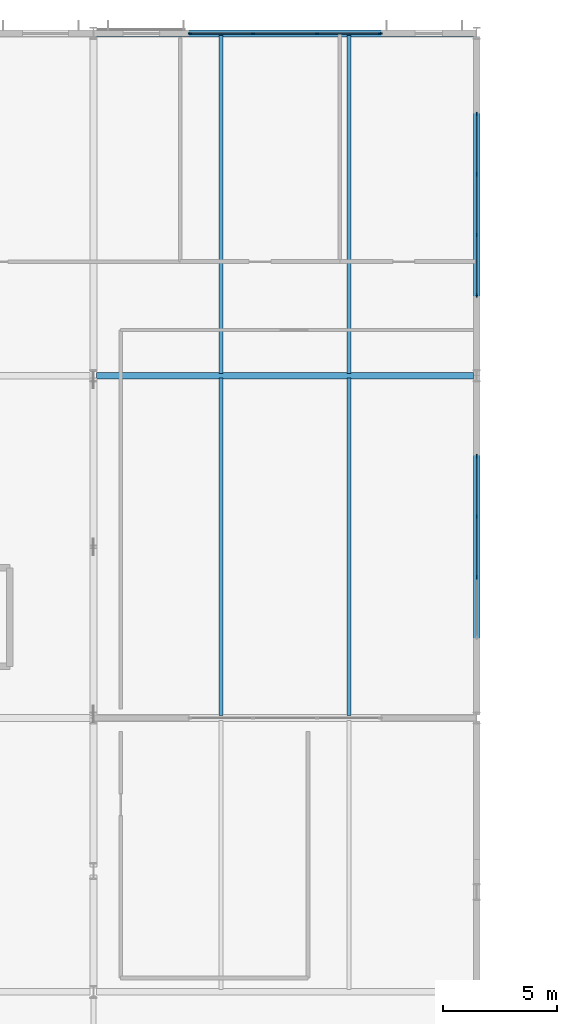
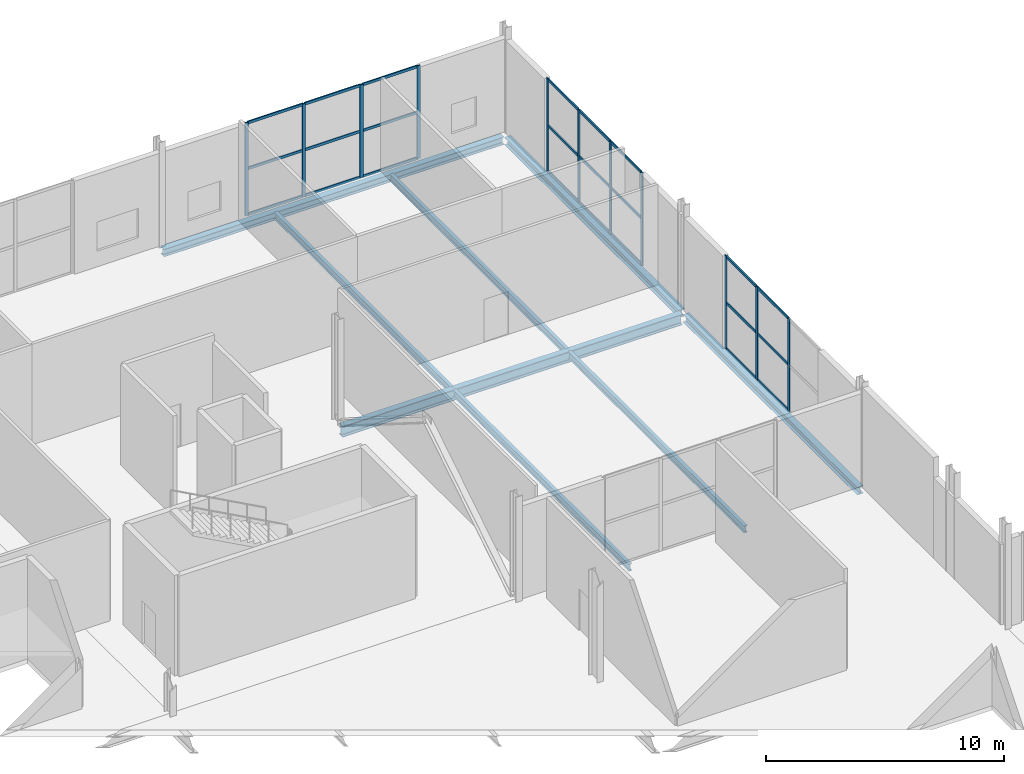
# One storey, part 48 of 84: 35 members, 8 beams, 3 elements without a shape of their own.
"""IFC4 building model written with IfcOpenShell, lengths in metres."""

from ifc_helpers import new_model, si_unit, direction, frame, origin, origin_2d, place, context, subcontext, project, spatial, rectangle, i_section, extrude, material, material_profile, profile_set, type_object, element, aggregate, save


model = new_model("IFC4")

# Units and contexts
model_context = context("Model", 3, precision=1e-05, world=origin(), true_north=direction((0.0, 1.0)))
body_context = subcontext(model_context, "Body", "Model", "MODEL_VIEW")
ifc_project = project(units=[si_unit("LENGTHUNIT", "METRE"), si_unit("AREAUNIT", "SQUARE_METRE"), si_unit("VOLUMEUNIT", "CUBIC_METRE"), si_unit("PLANEANGLEUNIT", "RADIAN"), si_unit("MASSUNIT", "GRAM", prefix="KILO")], contexts=[model_context])

# Site, building, storey
site_placement = place(None, origin())
site = spatial("IfcSite", under=ifc_project, at=site_placement, CompositionType="ELEMENT")
building_placement = place(site_placement, origin())
building = spatial("IfcBuilding", under=site, at=building_placement, Name="Kimbaza Rail Terminus", CompositionType="ELEMENT")
storey_placement = place(building_placement, frame((0.0, 0.0, 5.39990234375)))
storey = spatial("IfcBuildingStorey", under=building, at=storey_placement, Name="L01", CompositionType="ELEMENT", Elevation=5.39990234375)

# Curtain wall, members
ifc_material_1 = material(Name="Anodised aluminium framing and solar low-E glazing", Category="aluminium")
curtain_wall_type = type_object("IfcCurtainWallType", Name="ARC-CW-OP1", PredefinedType="USERDEFINED", material=ifc_material_1)
curtain_wall_1_placement = place(storey_placement, origin())
curtain_wall_1 = element("IfcCurtainWall", 1, at=curtain_wall_1_placement, inside=storey, type_object=curtain_wall_type, Name="Operations North Curtain Wall L01 Bay 6", ObjectType="UNITISED CURTAIN WALL", PredefinedType="USERDEFINED")
ifc_material_2 = material(Name="Anodised architectural aluminium", Category="aluminium")
ifc_material_profile_1 = material_profile(ifc_material_2, rectangle(XDim=0.06201171875, YDim=0.1650390625, at=origin_2d()), Name="MULLION 62x165")
ifc_profile_set_1 = profile_set([ifc_material_profile_1], Name="Anodised architectural aluminium")
member_type_1 = type_object("IfcMemberType", Name="ARC-CWM-05", PredefinedType="MULLION", material=ifc_profile_set_1)
member_1_placement = place(storey_placement, frame((143.430908203125, 133.0, 0.0), z_axis=(0.0, 0.0, 1.0), x_axis=(0.0, 1.0, 0.0)))
member_1 = element("IfcMember", 2, at=member_1_placement, type_object=member_type_1, Name="CW-05 mullion 1", PredefinedType="MULLION", context=body_context, shape_type="SweptSolid", body=[
    extrude(rectangle(XDim=0.06201171875, YDim=0.1650390625, at=origin_2d()), origin(), (0.0, 0.0, 1.0), 4.76513671875),
])
member_2_placement = place(storey_placement, frame((146.199951171875, 133.0, 0.0), z_axis=(0.0, 0.0, 1.0), x_axis=(0.0, 1.0, 0.0)))
member_2 = element("IfcMember", 3, at=member_2_placement, type_object=member_type_1, Name="CW-05 mullion 2", PredefinedType="MULLION", context=body_context, shape_type="SweptSolid", body=[
    extrude(rectangle(XDim=0.06201171875, YDim=0.1650390625, at=origin_2d()), origin(), (0.0, 0.0, 1.0), 4.76513671875),
])
member_3_placement = place(storey_placement, frame((149.0, 133.0, 0.0), z_axis=(0.0, 0.0, 1.0), x_axis=(0.0, 1.0, 0.0)))
member_3 = element("IfcMember", 4, at=member_3_placement, type_object=member_type_1, Name="CW-05 mullion 3", PredefinedType="MULLION", context=body_context, shape_type="SweptSolid", body=[
    extrude(rectangle(XDim=0.06201171875, YDim=0.1650390625, at=origin_2d()), origin(), (0.0, 0.0, 1.0), 4.76513671875),
])
member_4_placement = place(storey_placement, frame((151.76904296875, 133.0, 0.0), z_axis=(0.0, 0.0, 1.0), x_axis=(0.0, 1.0, 0.0)))
member_4 = element("IfcMember", 5, at=member_4_placement, type_object=member_type_1, Name="CW-05 mullion 4", PredefinedType="MULLION", context=body_context, shape_type="SweptSolid", body=[
    extrude(rectangle(XDim=0.06201171875, YDim=0.1650390625, at=origin_2d()), origin(), (0.0, 0.0, 1.0), 4.76513671875),
])

curtain_wall_2_placement = place(storey_placement, origin())
curtain_wall_2 = element("IfcCurtainWall", 6, at=curtain_wall_2_placement, inside=storey, type_object=curtain_wall_type, Name="Operations E Curtain Wall L01.1", ObjectType="UNITISED CURTAIN WALL", PredefinedType="USERDEFINED")
member_5_placement = place(storey_placement, frame((156.0, 109.166748046875, 0.0), z_axis=(0.0, 0.0, 1.0), x_axis=(-1.0, 0.0, 0.0)))
member_5 = element("IfcMember", 7, at=member_5_placement, type_object=member_type_1, Name="CW-05 mullion 2", PredefinedType="MULLION", context=body_context, shape_type="SweptSolid", body=[
    extrude(rectangle(XDim=0.06201171875, YDim=0.1650390625, at=origin_2d()), origin(), (0.0, 0.0, 1.0), 4.76513671875),
])
member_6_placement = place(storey_placement, frame((156.0, 111.833251953125, 0.0), z_axis=(0.0, 0.0, 1.0), x_axis=(-1.0, 0.0, 0.0)))
member_6 = element("IfcMember", 8, at=member_6_placement, type_object=member_type_1, Name="CW-05 mullion 3", PredefinedType="MULLION", context=body_context, shape_type="SweptSolid", body=[
    extrude(rectangle(XDim=0.06201171875, YDim=0.1650390625, at=origin_2d()), origin(), (0.0, 0.0, 1.0), 4.76513671875),
])
member_7_placement = place(storey_placement, frame((156.0, 114.468994140625, 0.0), z_axis=(0.0, 0.0, 1.0), x_axis=(-1.0, 0.0, 0.0)))
member_7 = element("IfcMember", 9, at=member_7_placement, type_object=member_type_1, Name="CW-05 mullion 4", PredefinedType="MULLION", context=body_context, shape_type="SweptSolid", body=[
    extrude(rectangle(XDim=0.06201171875, YDim=0.1650390625, at=origin_2d()), origin(), (0.0, 0.0, 1.0), 4.76513671875),
])

curtain_wall_3_placement = place(storey_placement, origin())
curtain_wall_3 = element("IfcCurtainWall", 10, at=curtain_wall_3_placement, inside=storey, type_object=curtain_wall_type, Name="Operations E Curtain Wall L01.2", ObjectType="UNITISED CURTAIN WALL", PredefinedType="USERDEFINED")
member_8_placement = place(storey_placement, frame((156.0, 121.531005859375, 0.0), z_axis=(0.0, 0.0, 1.0), x_axis=(-1.0, 0.0, 0.0)))
member_8 = element("IfcMember", 11, at=member_8_placement, type_object=member_type_1, Name="CW-05 mullion 1", PredefinedType="MULLION", context=body_context, shape_type="SweptSolid", body=[
    extrude(rectangle(XDim=0.06201171875, YDim=0.1650390625, at=origin_2d()), origin(), (0.0, 0.0, 1.0), 4.76513671875),
])
member_9_placement = place(storey_placement, frame((156.0, 124.166748046875, 0.0), z_axis=(0.0, 0.0, 1.0), x_axis=(-1.0, 0.0, 0.0)))
member_9 = element("IfcMember", 12, at=member_9_placement, type_object=member_type_1, Name="CW-05 mullion 2", PredefinedType="MULLION", context=body_context, shape_type="SweptSolid", body=[
    extrude(rectangle(XDim=0.06201171875, YDim=0.1650390625, at=origin_2d()), origin(), (0.0, 0.0, 1.0), 4.76513671875),
])
member_10_placement = place(storey_placement, frame((156.0, 126.833251953125, 0.0), z_axis=(0.0, 0.0, 1.0), x_axis=(-1.0, 0.0, 0.0)))
member_10 = element("IfcMember", 13, at=member_10_placement, type_object=member_type_1, Name="CW-05 mullion 3", PredefinedType="MULLION", context=body_context, shape_type="SweptSolid", body=[
    extrude(rectangle(XDim=0.06201171875, YDim=0.1650390625, at=origin_2d()), origin(), (0.0, 0.0, 1.0), 4.76513671875),
])
member_11_placement = place(storey_placement, frame((156.0, 129.468994140625, 0.0), z_axis=(0.0, 0.0, 1.0), x_axis=(-1.0, 0.0, 0.0)))
member_11 = element("IfcMember", 14, at=member_11_placement, type_object=member_type_1, Name="CW-05 mullion 4", PredefinedType="MULLION", context=body_context, shape_type="SweptSolid", body=[
    extrude(rectangle(XDim=0.06201171875, YDim=0.1650390625, at=origin_2d()), origin(), (0.0, 0.0, 1.0), 4.76513671875),
])

# Member
ifc_material_3 = material(Name="Anodised architectural aluminium", Category="aluminium")
ifc_material_profile_2 = material_profile(ifc_material_3, rectangle(XDim=0.06201171875, YDim=0.135009765625, at=origin_2d()), Name="TRANSOM 62x135")
ifc_profile_set_2 = profile_set([ifc_material_profile_2], Name="Anodised architectural aluminium")
member_type_2 = type_object("IfcMemberType", Name="ARC-CWT-05", PredefinedType="USERDEFINED", material=ifc_profile_set_2)
member_12_placement = place(storey_placement, frame((143.4619140625, 133.0, 0.031005859375), z_axis=(1.0, 0.0, 0.0), x_axis=(0.0, 1.0, 0.0)))
member_12 = element("IfcMember", 15, at=member_12_placement, type_object=member_type_2, Name="CW-05 transom 1.1", ObjectType="TRANSOM", PredefinedType="USERDEFINED", context=body_context, shape_type="SweptSolid", body=[
    extrude(rectangle(XDim=0.06201171875, YDim=0.135009765625, at=origin_2d()), origin(), (0.0, 0.0, 1.0), 2.70703125),
])

member_13_placement = place(storey_placement, frame((143.4619140625, 133.0, 2.382568359375), z_axis=(1.0, 0.0, 0.0), x_axis=(0.0, 1.0, 0.0)))
member_13 = element("IfcMember", 16, at=member_13_placement, type_object=member_type_2, Name="CW-05 transom 1.2", ObjectType="TRANSOM", PredefinedType="USERDEFINED", context=body_context, shape_type="SweptSolid", body=[
    extrude(rectangle(XDim=0.06201171875, YDim=0.135009765625, at=origin_2d()), origin(), (0.0, 0.0, 1.0), 2.70703125),
])

member_14_placement = place(storey_placement, frame((143.4619140625, 133.0, 4.734130859375), z_axis=(1.0, 0.0, 0.0), x_axis=(0.0, 1.0, 0.0)))
member_14 = element("IfcMember", 17, at=member_14_placement, type_object=member_type_2, Name="CW-05 transom 1.3", ObjectType="TRANSOM", PredefinedType="USERDEFINED", context=body_context, shape_type="SweptSolid", body=[
    extrude(rectangle(XDim=0.06201171875, YDim=0.135009765625, at=origin_2d()), origin(), (0.0, 0.0, 1.0), 2.70703125),
])

member_15_placement = place(storey_placement, frame((146.23095703125, 133.0, 0.031005859375), z_axis=(1.0, 0.0, 0.0), x_axis=(0.0, 1.0, 0.0)))
member_15 = element("IfcMember", 18, at=member_15_placement, type_object=member_type_2, Name="CW-05 transom 2.1", ObjectType="TRANSOM", PredefinedType="USERDEFINED", context=body_context, shape_type="SweptSolid", body=[
    extrude(rectangle(XDim=0.06201171875, YDim=0.135009765625, at=origin_2d()), origin(), (0.0, 0.0, 1.0), 2.738037109375),
])

member_16_placement = place(storey_placement, frame((146.23095703125, 133.0, 2.382568359375), z_axis=(1.0, 0.0, 0.0), x_axis=(0.0, 1.0, 0.0)))
member_16 = element("IfcMember", 19, at=member_16_placement, type_object=member_type_2, Name="CW-05 transom 2.2", ObjectType="TRANSOM", PredefinedType="USERDEFINED", context=body_context, shape_type="SweptSolid", body=[
    extrude(rectangle(XDim=0.06201171875, YDim=0.135009765625, at=origin_2d()), origin(), (0.0, 0.0, 1.0), 2.738037109375),
])

member_17_placement = place(storey_placement, frame((146.23095703125, 133.0, 4.734130859375), z_axis=(1.0, 0.0, 0.0), x_axis=(0.0, 1.0, 0.0)))
member_17 = element("IfcMember", 20, at=member_17_placement, type_object=member_type_2, Name="CW-05 transom 2.3", ObjectType="TRANSOM", PredefinedType="USERDEFINED", context=body_context, shape_type="SweptSolid", body=[
    extrude(rectangle(XDim=0.06201171875, YDim=0.135009765625, at=origin_2d()), origin(), (0.0, 0.0, 1.0), 2.738037109375),
])

member_18_placement = place(storey_placement, frame((149.031005859375, 133.0, 0.031005859375), z_axis=(1.0, 0.0, 0.0), x_axis=(0.0, 1.0, 0.0)))
member_18 = element("IfcMember", 21, at=member_18_placement, type_object=member_type_2, Name="CW-05 transom 3.1", ObjectType="TRANSOM", PredefinedType="USERDEFINED", context=body_context, shape_type="SweptSolid", body=[
    extrude(rectangle(XDim=0.06201171875, YDim=0.135009765625, at=origin_2d()), origin(), (0.0, 0.0, 1.0), 2.70703125),
])

member_19_placement = place(storey_placement, frame((149.031005859375, 133.0, 2.382568359375), z_axis=(1.0, 0.0, 0.0), x_axis=(0.0, 1.0, 0.0)))
member_19 = element("IfcMember", 22, at=member_19_placement, type_object=member_type_2, Name="CW-05 transom 3.2", ObjectType="TRANSOM", PredefinedType="USERDEFINED", context=body_context, shape_type="SweptSolid", body=[
    extrude(rectangle(XDim=0.06201171875, YDim=0.135009765625, at=origin_2d()), origin(), (0.0, 0.0, 1.0), 2.70703125),
])

member_20_placement = place(storey_placement, frame((149.031005859375, 133.0, 4.734130859375), z_axis=(1.0, 0.0, 0.0), x_axis=(0.0, 1.0, 0.0)))
member_20 = element("IfcMember", 23, at=member_20_placement, type_object=member_type_2, Name="CW-05 transom 3.3", ObjectType="TRANSOM", PredefinedType="USERDEFINED", context=body_context, shape_type="SweptSolid", body=[
    extrude(rectangle(XDim=0.06201171875, YDim=0.135009765625, at=origin_2d()), origin(), (0.0, 0.0, 1.0), 2.70703125),
])

aggregate(curtain_wall_1, [member_1, member_2, member_3, member_4, member_12, member_13, member_14, member_15, member_16, member_17, member_18, member_19, member_20])

member_21_placement = place(storey_placement, frame((156.0, 109.19775390625, 0.031005859375), z_axis=(0.0, 1.0, 0.0), x_axis=(-1.0, 0.0, 0.0)))
member_21 = element("IfcMember", 24, at=member_21_placement, type_object=member_type_2, Name="CW-05 transom 2.1", ObjectType="TRANSOM", PredefinedType="USERDEFINED", context=body_context, shape_type="SweptSolid", body=[
    extrude(rectangle(XDim=0.06201171875, YDim=0.135009765625, at=origin_2d()), origin(), (0.0, 0.0, 1.0), 2.6044921875),
])

member_22_placement = place(storey_placement, frame((156.0, 109.19775390625, 2.382568359375), z_axis=(0.0, 1.0, 0.0), x_axis=(-1.0, 0.0, 0.0)))
member_22 = element("IfcMember", 25, at=member_22_placement, type_object=member_type_2, Name="CW-05 transom 2.2", ObjectType="TRANSOM", PredefinedType="USERDEFINED", context=body_context, shape_type="SweptSolid", body=[
    extrude(rectangle(XDim=0.06201171875, YDim=0.135009765625, at=origin_2d()), origin(), (0.0, 0.0, 1.0), 2.6044921875),
])

member_23_placement = place(storey_placement, frame((156.0, 109.19775390625, 4.734130859375), z_axis=(0.0, 1.0, 0.0), x_axis=(-1.0, 0.0, 0.0)))
member_23 = element("IfcMember", 26, at=member_23_placement, type_object=member_type_2, Name="CW-05 transom 2.3", ObjectType="TRANSOM", PredefinedType="USERDEFINED", context=body_context, shape_type="SweptSolid", body=[
    extrude(rectangle(XDim=0.06201171875, YDim=0.135009765625, at=origin_2d()), origin(), (0.0, 0.0, 1.0), 2.6044921875),
])

member_24_placement = place(storey_placement, frame((156.0, 111.8642578125, 0.031005859375), z_axis=(0.0, 1.0, 0.0), x_axis=(-1.0, 0.0, 0.0)))
member_24 = element("IfcMember", 27, at=member_24_placement, type_object=member_type_2, Name="CW-05 transom 3.1", ObjectType="TRANSOM", PredefinedType="USERDEFINED", context=body_context, shape_type="SweptSolid", body=[
    extrude(rectangle(XDim=0.06201171875, YDim=0.135009765625, at=origin_2d()), origin(), (0.0, 0.0, 1.0), 2.57373046875),
])

member_25_placement = place(storey_placement, frame((156.0, 111.8642578125, 2.382568359375), z_axis=(0.0, 1.0, 0.0), x_axis=(-1.0, 0.0, 0.0)))
member_25 = element("IfcMember", 28, at=member_25_placement, type_object=member_type_2, Name="CW-05 transom 3.2", ObjectType="TRANSOM", PredefinedType="USERDEFINED", context=body_context, shape_type="SweptSolid", body=[
    extrude(rectangle(XDim=0.06201171875, YDim=0.135009765625, at=origin_2d()), origin(), (0.0, 0.0, 1.0), 2.57373046875),
])

member_26_placement = place(storey_placement, frame((156.0, 111.8642578125, 4.734130859375), z_axis=(0.0, 1.0, 0.0), x_axis=(-1.0, 0.0, 0.0)))
member_26 = element("IfcMember", 29, at=member_26_placement, type_object=member_type_2, Name="CW-05 transom 3.3", ObjectType="TRANSOM", PredefinedType="USERDEFINED", context=body_context, shape_type="SweptSolid", body=[
    extrude(rectangle(XDim=0.06201171875, YDim=0.135009765625, at=origin_2d()), origin(), (0.0, 0.0, 1.0), 2.57373046875),
])

aggregate(curtain_wall_2, [member_5, member_6, member_7, member_21, member_22, member_23, member_24, member_25, member_26])

member_27_placement = place(storey_placement, frame((156.0, 121.56201171875, 0.031005859375), z_axis=(0.0, 1.0, 0.0), x_axis=(-1.0, 0.0, 0.0)))
member_27 = element("IfcMember", 30, at=member_27_placement, type_object=member_type_2, Name="CW-05 transom 1.1", ObjectType="TRANSOM", PredefinedType="USERDEFINED", context=body_context, shape_type="SweptSolid", body=[
    extrude(rectangle(XDim=0.06201171875, YDim=0.135009765625, at=origin_2d()), origin(), (0.0, 0.0, 1.0), 2.57373046875),
])

member_28_placement = place(storey_placement, frame((156.0, 121.56201171875, 2.382568359375), z_axis=(0.0, 1.0, 0.0), x_axis=(-1.0, 0.0, 0.0)))
member_28 = element("IfcMember", 31, at=member_28_placement, type_object=member_type_2, Name="CW-05 transom 1.2", ObjectType="TRANSOM", PredefinedType="USERDEFINED", context=body_context, shape_type="SweptSolid", body=[
    extrude(rectangle(XDim=0.06201171875, YDim=0.135009765625, at=origin_2d()), origin(), (0.0, 0.0, 1.0), 2.57373046875),
])

member_29_placement = place(storey_placement, frame((156.0, 121.56201171875, 4.734130859375), z_axis=(0.0, 1.0, 0.0), x_axis=(-1.0, 0.0, 0.0)))
member_29 = element("IfcMember", 32, at=member_29_placement, type_object=member_type_2, Name="CW-05 transom 1.3", ObjectType="TRANSOM", PredefinedType="USERDEFINED", context=body_context, shape_type="SweptSolid", body=[
    extrude(rectangle(XDim=0.06201171875, YDim=0.135009765625, at=origin_2d()), origin(), (0.0, 0.0, 1.0), 2.57373046875),
])

member_30_placement = place(storey_placement, frame((156.0, 124.19775390625, 0.031005859375), z_axis=(0.0, 1.0, 0.0), x_axis=(-1.0, 0.0, 0.0)))
member_30 = element("IfcMember", 33, at=member_30_placement, type_object=member_type_2, Name="CW-05 transom 2.1", ObjectType="TRANSOM", PredefinedType="USERDEFINED", context=body_context, shape_type="SweptSolid", body=[
    extrude(rectangle(XDim=0.06201171875, YDim=0.135009765625, at=origin_2d()), origin(), (0.0, 0.0, 1.0), 2.6044921875),
])

member_31_placement = place(storey_placement, frame((156.0, 124.19775390625, 2.382568359375), z_axis=(0.0, 1.0, 0.0), x_axis=(-1.0, 0.0, 0.0)))
member_31 = element("IfcMember", 34, at=member_31_placement, type_object=member_type_2, Name="CW-05 transom 2.2", ObjectType="TRANSOM", PredefinedType="USERDEFINED", context=body_context, shape_type="SweptSolid", body=[
    extrude(rectangle(XDim=0.06201171875, YDim=0.135009765625, at=origin_2d()), origin(), (0.0, 0.0, 1.0), 2.6044921875),
])

member_32_placement = place(storey_placement, frame((156.0, 124.19775390625, 4.734130859375), z_axis=(0.0, 1.0, 0.0), x_axis=(-1.0, 0.0, 0.0)))
member_32 = element("IfcMember", 35, at=member_32_placement, type_object=member_type_2, Name="CW-05 transom 2.3", ObjectType="TRANSOM", PredefinedType="USERDEFINED", context=body_context, shape_type="SweptSolid", body=[
    extrude(rectangle(XDim=0.06201171875, YDim=0.135009765625, at=origin_2d()), origin(), (0.0, 0.0, 1.0), 2.6044921875),
])

member_33_placement = place(storey_placement, frame((156.0, 126.8642578125, 0.031005859375), z_axis=(0.0, 1.0, 0.0), x_axis=(-1.0, 0.0, 0.0)))
member_33 = element("IfcMember", 36, at=member_33_placement, type_object=member_type_2, Name="CW-05 transom 3.1", ObjectType="TRANSOM", PredefinedType="USERDEFINED", context=body_context, shape_type="SweptSolid", body=[
    extrude(rectangle(XDim=0.06201171875, YDim=0.135009765625, at=origin_2d()), origin(), (0.0, 0.0, 1.0), 2.57373046875),
])

member_34_placement = place(storey_placement, frame((156.0, 126.8642578125, 2.382568359375), z_axis=(0.0, 1.0, 0.0), x_axis=(-1.0, 0.0, 0.0)))
member_34 = element("IfcMember", 37, at=member_34_placement, type_object=member_type_2, Name="CW-05 transom 3.2", ObjectType="TRANSOM", PredefinedType="USERDEFINED", context=body_context, shape_type="SweptSolid", body=[
    extrude(rectangle(XDim=0.06201171875, YDim=0.135009765625, at=origin_2d()), origin(), (0.0, 0.0, 1.0), 2.57373046875),
])

member_35_placement = place(storey_placement, frame((156.0, 126.8642578125, 4.734130859375), z_axis=(0.0, 1.0, 0.0), x_axis=(-1.0, 0.0, 0.0)))
member_35 = element("IfcMember", 38, at=member_35_placement, type_object=member_type_2, Name="CW-05 transom 3.3", ObjectType="TRANSOM", PredefinedType="USERDEFINED", context=body_context, shape_type="SweptSolid", body=[
    extrude(rectangle(XDim=0.06201171875, YDim=0.135009765625, at=origin_2d()), origin(), (0.0, 0.0, 1.0), 2.57373046875),
])

aggregate(curtain_wall_3, [member_8, member_9, member_10, member_11, member_27, member_28, member_29, member_30, member_31, member_32, member_33, member_34, member_35])

# Beams
ifc_material_4 = material(Name="Steel S355", Category="steel")
ifc_material_profile_3 = material_profile(ifc_material_4, i_section(OverallWidth=0.300048828125, OverallDepth=0.389892578125, WebThickness=0.010986328125, FlangeThickness=0.01904296875, FilletRadius=0.027099609375, at=origin_2d()), Name="HEA 400")
ifc_profile_set_3 = profile_set([ifc_material_profile_3], Name="Steel S355")
beam_type_1 = type_object("IfcBeamType", Name="STR-BM-HEA400", PredefinedType="SPANDREL", material=ifc_profile_set_3)
beam_1_placement = place(storey_placement, frame((139.345947265625, 133.0, -0.434814453125), z_axis=(1.0, 0.0, 0.0), x_axis=(0.0, 1.0, 0.0)))
element("IfcBeam", 39, at=beam_1_placement, inside=storey, type_object=beam_type_1, Name="Operations Girder L01 X5-Y2", PredefinedType="SPANDREL", context=body_context, shape_type="SweptSolid", body=[
    extrude(i_section(OverallWidth=0.300048828125, OverallDepth=0.389892578125, WebThickness=0.010986328125, FlangeThickness=0.01904296875, FilletRadius=0.027099609375, at=origin_2d()), origin(), (0.0, 0.0, 1.0), 16.508056640625),
])
for number, where, z_axis, x_axis, name in (
    (40, (156.0, 103.175048828125, -0.434814453125), (0.0, 1.0, 0.0), (-1.0, 0.0, 0.0), "Operations Cross Girder L01 X6-Y0"),
    (41, (156.0, 118.175048828125, -0.434814453125), (0.0, 1.0, 0.0), (-1.0, 0.0, 0.0), "Operations Cross Girder L01 X6-Y1"),
):
    element("IfcBeam", number, at=place(storey_placement, frame(where, z_axis=z_axis, x_axis=x_axis)), inside=storey, type_object=beam_type_1, Name=name, PredefinedType="SPANDREL", context=body_context, shape_type="SweptSolid", body=[
        extrude(i_section(OverallWidth=0.300048828125, OverallDepth=0.389892578125, WebThickness=0.010986328125, FlangeThickness=0.01904296875, FilletRadius=0.027099609375, at=origin_2d()), origin(), (0.0, 0.0, 1.0), 14.64990234375),
    ])
ifc_material_5 = material(Name="Steel S355", Category="steel")
ifc_material_profile_4 = material_profile(ifc_material_5, i_section(OverallWidth=0.300048828125, OverallDepth=0.550048828125, WebThickness=0.014892578125, FlangeThickness=0.029052734375, FilletRadius=0.027099609375, at=origin_2d()), Name="HEB 550")
ifc_profile_set_4 = profile_set([ifc_material_profile_4], Name="Steel S355")
beam_type_2 = type_object("IfcBeamType", Name="STR-BM-HEB550", PredefinedType="BEAM", material=ifc_profile_set_4)
beam_2_placement = place(storey_placement, frame((139.345947265625, 118.0, -0.514892578125), z_axis=(1.0, 0.0, 0.0), x_axis=(0.0, 1.0, 0.0)))
element("IfcBeam", 42, at=beam_2_placement, inside=storey, type_object=beam_type_2, Name="Operations Girder L01 X5-Y1", PredefinedType="BEAM", context=body_context, shape_type="SweptSolid", body=[
    extrude(i_section(OverallWidth=0.300048828125, OverallDepth=0.550048828125, WebThickness=0.014892578125, FlangeThickness=0.029052734375, FilletRadius=0.027099609375, at=origin_2d()), origin(), (0.0, 0.0, 1.0), 16.508056640625),
])
ifc_material_6 = material(Name="Steel S355", Category="steel")
ifc_material_profile_5 = material_profile(ifc_material_6, i_section(OverallWidth=0.169921875, OverallDepth=0.360107421875, WebThickness=0.008056640625, FlangeThickness=0.0126953125, FilletRadius=0.01806640625, at=origin_2d()), Name="IPE 360")
ifc_profile_set_5 = profile_set([ifc_material_profile_5], Name="Steel S355")
beam_type_3 = type_object("IfcBeamType", Name="STR-BM-IPE360", PredefinedType="JOIST", material=ifc_profile_set_5)
for number, where, z_axis, x_axis, name in (
    (43, (144.800048828125, 103.10009765625, -0.419921875), (0.0, 1.0, 0.0), (-1.0, 0.0, 0.0), "Operations Secondary Joist L01"),
    (44, (144.800048828125, 118.10009765625, -0.419921875), (0.0, 1.0, 0.0), (-1.0, 0.0, 0.0), "Operations Secondary Joist L01"),
    (45, (150.39990234375, 103.10009765625, -0.419921875), (0.0, 1.0, 0.0), (-1.0, 0.0, 0.0), "Operations Secondary Joist L01"),
    (46, (150.39990234375, 118.10009765625, -0.419921875), (0.0, 1.0, 0.0), (-1.0, 0.0, 0.0), "Operations Secondary Joist L01"),
):
    element("IfcBeam", number, at=place(storey_placement, frame(where, z_axis=z_axis, x_axis=x_axis)), inside=storey, type_object=beam_type_3, Name=name, PredefinedType="JOIST", context=body_context, shape_type="SweptSolid", body=[
        extrude(i_section(OverallWidth=0.169921875, OverallDepth=0.360107421875, WebThickness=0.008056640625, FlangeThickness=0.0126953125, FilletRadius=0.01806640625, at=origin_2d()), origin(), (0.0, 0.0, 1.0), 14.7998046875),
    ])

save(model, "model.ifc")
